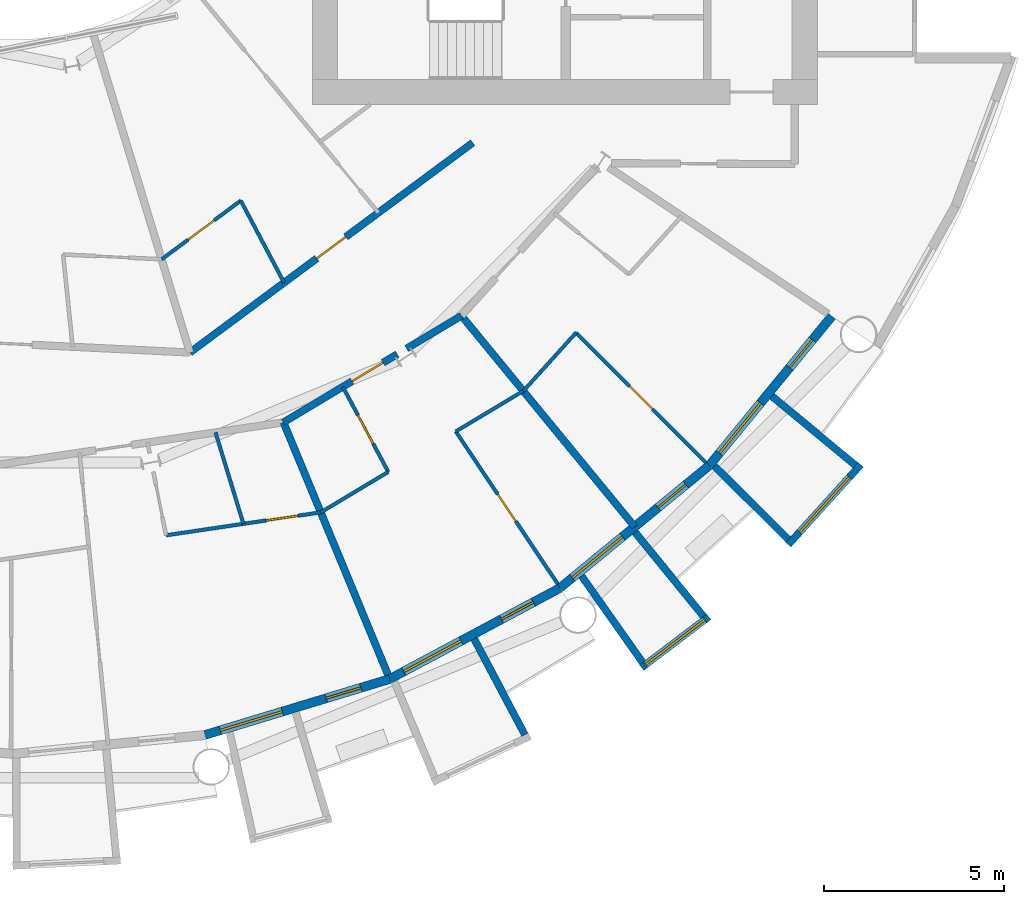
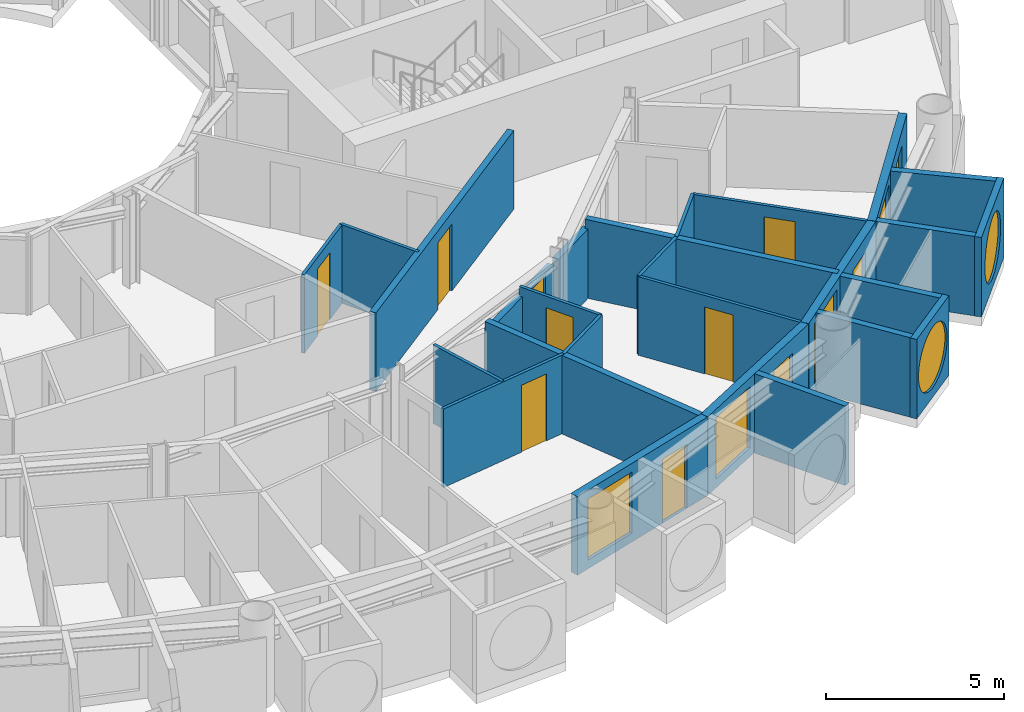
# One storey, part 16 of 26: 26 walls, 11 doors, 6 windows, 17 openings.
"""IFC4 building model written with IfcOpenShell, lengths in metres."""

from ifc_helpers import new_model, si_unit, direction, frame, frame_2d, origin, place, context, subcontext, project, spatial, rectangle, circle, extrude, material, layer, layer_set, type_object, element, fill, save


model = new_model("IFC4")

# Units and contexts
model_context = context("Model", 3, precision=1e-05, world=origin(), true_north=direction((0.0, 1.0)))
body_context = subcontext(model_context, "Body", "Model", "MODEL_VIEW")
ifc_project = project(units=[si_unit("LENGTHUNIT", "METRE"), si_unit("AREAUNIT", "SQUARE_METRE"), si_unit("VOLUMEUNIT", "CUBIC_METRE"), si_unit("PLANEANGLEUNIT", "RADIAN"), si_unit("MASSUNIT", "GRAM", prefix="KILO")], contexts=[model_context])

# Site, building, storey
site_placement = place(None, origin())
site = spatial("IfcSite", under=ifc_project, at=site_placement, CompositionType="ELEMENT")
building_placement = place(site_placement, origin())
building = spatial("IfcBuilding", under=site, at=building_placement, Name="Maasbend Ring Residences", CompositionType="ELEMENT")
storey_placement = place(building_placement, frame((0.0, 0.0, 78.85009765625)))
storey = spatial("IfcBuildingStorey", under=building, at=storey_placement, Name="L22", CompositionType="ELEMENT", Elevation=78.85009765625)

# Wall, opening, door
ifc_material_1 = material(Name="Concrete C30/37", Category="concrete")
ifc_layer_1 = layer(ifc_material_1, 0.199951171875)
ifc_layer_set_1 = layer_set([ifc_layer_1], Name="Concrete C30/37")
wall_type_1 = type_object("IfcWallType", Name="CORRIDOR WALL 200 CONCRETE", PredefinedType="PARTITIONING", material=ifc_layer_set_1)
wall_1_placement = place(storey_placement, frame((7.4951171875, -18.111083984375, 0.0), z_axis=(0.0, 0.0, 1.0), x_axis=(0.857697633371, 0.514154422046, 0.0)))
wall_1 = element("IfcWall", 1, at=wall_1_placement, inside=storey, type_object=wall_type_1, Name="U-L22-w014", PredefinedType="PARTITIONING", context=body_context, shape_type="SweptSolid", body=[
    extrude(rectangle(XDim=3.681884765625, YDim=0.199951171875, at=frame_2d((1.8408203125, 0.0))), origin(), (0.0, 0.0, 1.0), 2.3798828125),
])
opening_1_placement = place(wall_1_placement, frame((2.22412109375, 0.0, 0.0)))
opening_1 = element("IfcOpeningElement", 2, at=opening_1_placement, cuts=wall_1, Name="Opening D-2249", PredefinedType="OPENING", context=body_context, shape_type="SweptSolid", body=[
    extrude(rectangle(XDim=1.0, YDim=2.300048828125, at=frame_2d((0.5, 1.14990234375))), frame((0.0, 0.10986328125, 0.0), z_axis=(0.0, -1.0, 0.0), x_axis=(1.0, 0.0, 0.0)), (0.0, 0.0, 1.0), 0.219970703125),
])
ifc_material_2 = material(Name="Timber, fire-rated, painted", Category="wood")
door_type_1 = type_object("IfcDoorType", Name="FLAT ENTRANCE DOOR 1000 X 2300 FIRE-RATED", OperationType="NOTDEFINED", PredefinedType="DOOR", material=ifc_material_2)
door_1_placement = place(opening_1_placement, origin())
door_1 = element("IfcDoor", 3, at=door_1_placement, inside=storey, type_object=door_type_1, Name="D-2249", OperationType="SINGLE_SWING_RIGHT", OverallHeight=2.300048828125, OverallWidth=1.0, PredefinedType="DOOR", context=body_context, shape_type="SweptSolid", body=[
    extrude(rectangle(XDim=1.0, YDim=2.300048828125, at=frame_2d((0.5, 1.14990234375))), frame((0.0, 0.02490234375, 0.0), z_axis=(0.0, -1.0, 0.0), x_axis=(1.0, 0.0, 0.0)), (0.0, 0.0, 1.0), 0.050048828125),
])
fill(opening_1, door_1)

# Wall
wall_2_placement = place(storey_placement, frame((10.916015625, -16.06103515625, 0.0), z_axis=(0.0, 0.0, 1.0), x_axis=(0.857663265693, 0.514211748875, 0.0)))
element("IfcWall", 4, at=wall_2_placement, inside=storey, type_object=wall_type_1, Name="U-L22-w015", PredefinedType="PARTITIONING", context=body_context, shape_type="SweptSolid", body=[
    extrude(rectangle(XDim=1.77001953125, YDim=0.199951171875, at=frame_2d((0.885009765625, 0.0))), origin(), (0.0, 0.0, 1.0), 2.3798828125),
])

# Wall, opening, door
wall_3_placement = place(storey_placement, frame((4.906005859375, -16.172119140625, 0.0), z_axis=(0.0, 0.0, 1.0), x_axis=(0.803191461888, 0.595720971219, 0.0)))
wall_3 = element("IfcWall", 5, at=wall_3_placement, inside=storey, type_object=wall_type_1, Name="U-L22-w021", PredefinedType="PARTITIONING", context=body_context, shape_type="SweptSolid", body=[
    extrude(rectangle(XDim=9.760009765625, YDim=0.199951171875, at=frame_2d((4.8798828125, 0.0))), origin(), (0.0, 0.0, 1.0), 2.699951171875),
])
opening_2_placement = place(wall_3_placement, frame((4.3798828125, 0.0, 0.0)))
opening_2 = element("IfcOpeningElement", 6, at=opening_2_placement, cuts=wall_3, Name="Opening D-2264", PredefinedType="OPENING", context=body_context, shape_type="SweptSolid", body=[
    extrude(rectangle(XDim=1.0, YDim=2.300048828125, at=frame_2d((0.5, 1.14990234375))), frame((0.0, 0.10986328125, 0.0), z_axis=(0.0, -1.0, 0.0), x_axis=(1.0, 0.0, 0.0)), (0.0, 0.0, 1.0), 0.219970703125),
])
door_2_placement = place(opening_2_placement, origin())
door_2 = element("IfcDoor", 7, at=door_2_placement, inside=storey, type_object=door_type_1, Name="D-2264", OperationType="SINGLE_SWING_LEFT", OverallHeight=2.300048828125, OverallWidth=1.0, PredefinedType="DOOR", context=body_context, shape_type="SweptSolid", body=[
    extrude(rectangle(XDim=1.0, YDim=2.300048828125, at=frame_2d((0.5, 1.14990234375))), frame((0.0, 0.02490234375, 0.0), z_axis=(0.0, -1.0, 0.0), x_axis=(1.0, 0.0, 0.0)), (0.0, 0.0, 1.0), 0.050048828125),
])
fill(opening_2, door_2)

# Wall
ifc_material_3 = material(Name="Pale anodised aluminium panel", Category="aluminium")
ifc_layer_2 = layer(ifc_material_3, 0.199951171875)
ifc_layer_set_2 = layer_set([ifc_layer_2], Name="EW-BOX")
wall_type_2 = type_object("IfcWallType", Name="EW-BOX", PredefinedType="SOLIDWALL", material=ifc_layer_set_2)
wall_4_placement = place(storey_placement, frame((12.787109375, -24.113037109375, -0.030029296875), z_axis=(0.0, 0.0, 1.0), x_axis=(0.468365282436, -0.883534924159, 0.0)))
element("IfcWall", 8, at=wall_4_placement, inside=storey, type_object=wall_type_2, Name="Box side wall S15 right", PredefinedType="SOLIDWALL", context=body_context, shape_type="SweptSolid", body=[
    extrude(rectangle(XDim=3.006103515625, YDim=0.199951171875, at=frame_2d((1.5029296875, 0.0))), origin(), (0.0, 0.0, 1.0), 2.72998046875),
])

# Wall, opening, window
wall_5_placement = place(storey_placement, frame((17.427001953125, -24.908935546875, -0.030029296875), z_axis=(0.0, 0.0, 1.0), x_axis=(0.796842165306, 0.60418752353, 0.0)))
wall_5 = element("IfcWall", 9, at=wall_5_placement, inside=storey, type_object=wall_type_2, Name="Box front S17", PredefinedType="SOLIDWALL", context=body_context, shape_type="SweptSolid", body=[
    extrude(rectangle(XDim=2.3369140625, YDim=0.199951171875, at=frame_2d((1.16845703125, 0.0))), origin(), (0.0, 0.0, 1.0), 2.72998046875),
])
opening_3_placement = place(wall_5_placement, frame((0.128173828125, 0.0, 0.330078125)))
opening_3 = element("IfcOpeningElement", 10, at=opening_3_placement, cuts=wall_5, Name="Opening W-RD", PredefinedType="OPENING", context=body_context, shape_type="SweptSolid", body=[
    extrude(circle(Radius=1.0400390625, at=frame_2d((1.0400390625, 1.0400390625))), frame((0.0, 0.10986328125, 0.0), z_axis=(0.0, -1.0, 0.0), x_axis=(1.0, 0.0, 0.0)), (0.0, 0.0, 1.0), 0.219970703125),
])
ifc_material_4 = material(Name="Aluminium and clear glass", Category="aluminium")
window_type_1 = type_object("IfcWindowType", Name="W-RD", PartitioningType="SINGLE_PANEL", PredefinedType="WINDOW", material=ifc_material_4)
window_1_placement = place(opening_3_placement, origin())
window_1 = element("IfcWindow", 11, at=window_1_placement, inside=storey, type_object=window_type_1, Name="Round window S17", OverallHeight=2.080078125, OverallWidth=2.080078125, PartitioningType="SINGLE_PANEL", PredefinedType="WINDOW", context=body_context, shape_type="SweptSolid", body=[
    extrude(circle(Radius=1.0400390625, at=frame_2d((1.0400390625, 1.0400390625))), frame((0.0, 0.030029296875, 0.0), z_axis=(0.0, -1.0, 0.0), x_axis=(1.0, 0.0, 0.0)), (0.0, 0.0, 1.0), 0.06005859375),
])
fill(opening_3, window_1)

# Walls
wall_6_placement = place(storey_placement, frame((15.764892578125, -22.3701171875, -0.030029296875), z_axis=(0.0, 0.0, 1.0), x_axis=(0.576274612209, -0.817256123454, 0.0)))
element("IfcWall", 12, at=wall_6_placement, inside=storey, type_object=wall_type_2, Name="Box side wall S17 left", PredefinedType="SOLIDWALL", context=body_context, shape_type="SweptSolid", body=[
    extrude(rectangle(XDim=2.932861328125, YDim=0.199951171875, at=frame_2d((1.46630859375, 0.0))), origin(), (0.0, 0.0, 1.0), 2.72998046875),
])
wall_7_placement = place(storey_placement, frame((17.24609375, -21.155029296875, -0.030029296875), z_axis=(0.0, 0.0, 1.0), x_axis=(0.631741648902, -0.775179004516, 0.0)))
element("IfcWall", 13, at=wall_7_placement, inside=storey, type_object=wall_type_2, Name="Box side wall S17 right", PredefinedType="SOLIDWALL", context=body_context, shape_type="SweptSolid", body=[
    extrude(rectangle(XDim=3.005859375, YDim=0.199951171875, at=frame_2d((1.5029296875, 0.0))), origin(), (0.0, 0.0, 1.0), 2.72998046875),
])

# Wall, opening, window
wall_8_placement = place(storey_placement, frame((21.492919921875, -21.5, -0.030029296875), z_axis=(0.0, 0.0, 1.0), x_axis=(0.671506829416, 0.740998365753, 0.0)))
wall_8 = element("IfcWall", 14, at=wall_8_placement, inside=storey, type_object=wall_type_2, Name="Box front S19", PredefinedType="SOLIDWALL", context=body_context, shape_type="SweptSolid", body=[
    extrude(rectangle(XDim=2.9931640625, YDim=0.199951171875, at=frame_2d((1.49658203125, 0.0))), origin(), (0.0, 0.0, 1.0), 2.72998046875),
])
opening_4_placement = place(wall_8_placement, frame((0.45654296875, 0.0, 0.330078125)))
opening_4 = element("IfcOpeningElement", 15, at=opening_4_placement, cuts=wall_8, Name="Opening W-RD", PredefinedType="OPENING", context=body_context, shape_type="SweptSolid", body=[
    extrude(circle(Radius=1.0400390625, at=frame_2d((1.0400390625, 1.0400390625))), frame((0.0, 0.10986328125, 0.0), z_axis=(0.0, -1.0, 0.0), x_axis=(1.0, 0.0, 0.0)), (0.0, 0.0, 1.0), 0.219970703125),
])
window_2_placement = place(opening_4_placement, origin())
window_2 = element("IfcWindow", 16, at=window_2_placement, inside=storey, type_object=window_type_1, Name="Round window S19", OverallHeight=2.080078125, OverallWidth=2.080078125, PartitioningType="SINGLE_PANEL", PredefinedType="WINDOW", context=body_context, shape_type="SweptSolid", body=[
    extrude(circle(Radius=1.0400390625, at=frame_2d((1.0400390625, 1.0400390625))), frame((0.0, 0.030029296875, 0.0), z_axis=(0.0, -1.0, 0.0), x_axis=(1.0, 0.0, 0.0)), (0.0, 0.0, 1.0), 0.06005859375),
])
fill(opening_4, window_2)

# Walls
wall_9_placement = place(storey_placement, frame((19.449951171875, -19.322998046875, -0.030029296875), z_axis=(0.0, 0.0, 1.0), x_axis=(0.709727076896, -0.704476739375, 0.0)))
element("IfcWall", 17, at=wall_9_placement, inside=storey, type_object=wall_type_2, Name="Box side wall S19 left", PredefinedType="SOLIDWALL", context=body_context, shape_type="SweptSolid", body=[
    extrude(rectangle(XDim=2.883056640625, YDim=0.199951171875, at=frame_2d((1.44140625, 0.0))), origin(), (0.0, 0.0, 1.0), 2.72998046875),
])
wall_10_placement = place(storey_placement, frame((21.041015625, -17.384033203125, -0.030029296875), z_axis=(0.0, 0.0, 1.0), x_axis=(0.770784861449, -0.63709551667, 0.0)))
element("IfcWall", 18, at=wall_10_placement, inside=storey, type_object=wall_type_2, Name="Box side wall S19 right", PredefinedType="SOLIDWALL", context=body_context, shape_type="SweptSolid", body=[
    extrude(rectangle(XDim=3.005859375, YDim=0.199951171875, at=frame_2d((1.5029296875, 0.0))), origin(), (0.0, 0.0, 1.0), 2.72998046875),
])

# Wall, openings, door, window
ifc_material_5 = material(Name="Aluminium clad insulated panel", Category="aluminium")
ifc_layer_3 = layer(ifc_material_5, 0.25)
ifc_layer_set_3 = layer_set([ifc_layer_3], Name="EW-GL")
wall_type_3 = type_object("IfcWallType", Name="EW-GL", PredefinedType="SOLIDWALL", material=ifc_layer_set_3)
wall_11_placement = place(storey_placement, frame((5.325927734375, -26.77490234375, 0.0), z_axis=(0.0, 0.0, 1.0), x_axis=(0.956965678721, 0.290201119486, 0.0)))
wall_11 = element("IfcWall", 19, at=wall_11_placement, inside=storey, type_object=wall_type_3, Name="External wall S07", PredefinedType="SOLIDWALL", context=body_context, shape_type="SweptSolid", body=[
    extrude(rectangle(XDim=5.351318359375, YDim=0.25, at=frame_2d((2.67578125, 0.0))), origin(), (0.0, 0.0, 1.0), 2.699951171875),
])
opening_5_placement = place(wall_11_placement, frame((0.441162109375, 0.0, 0.300048828125)))
opening_5 = element("IfcOpeningElement", 20, at=opening_5_placement, cuts=wall_11, Name="Opening W-BX", PredefinedType="OPENING", context=body_context, shape_type="SweptSolid", body=[
    extrude(rectangle(XDim=1.800048828125, YDim=2.10009765625, at=frame_2d((0.89990234375, 1.050048828125))), frame((0.0, 0.135009765625, 0.0), z_axis=(0.0, -1.0, 0.0), x_axis=(1.0, 0.0, 0.0)), (0.0, 0.0, 1.0), 0.27001953125),
])
opening_6_placement = place(wall_11_placement, frame((3.510498046875, 0.0, 0.0)))
opening_6 = element("IfcOpeningElement", 21, at=opening_6_placement, cuts=wall_11, Name="Opening D-LG", PredefinedType="OPENING", context=body_context, shape_type="SweptSolid", body=[
    extrude(rectangle(XDim=1.0, YDim=2.199951171875, at=frame_2d((0.5, 1.10009765625))), frame((0.0, 0.135009765625, 0.0), z_axis=(0.0, -1.0, 0.0), x_axis=(1.0, 0.0, 0.0)), (0.0, 0.0, 1.0), 0.27001953125),
])
ifc_material_6 = material(Name="Aluminium and clear glass", Category="aluminium")
door_type_2 = type_object("IfcDoorType", Name="D-LG", OperationType="SINGLE_SWING_LEFT", PredefinedType="DOOR", material=ifc_material_6)
door_3_placement = place(opening_6_placement, origin())
door_3 = element("IfcDoor", 22, at=door_3_placement, inside=storey, type_object=door_type_2, Name="Loggia door S14", OperationType="SINGLE_SWING_LEFT", OverallHeight=2.199951171875, OverallWidth=1.0, PredefinedType="DOOR", context=body_context, shape_type="SweptSolid", body=[
    extrude(rectangle(XDim=1.0, YDim=2.199951171875, at=frame_2d((0.5, 1.10009765625))), frame((0.0, 0.02490234375, 0.0), z_axis=(0.0, -1.0, 0.0), x_axis=(1.0, 0.0, 0.0)), (0.0, 0.0, 1.0), 0.050048828125),
])
fill(opening_6, door_3)
ifc_material_7 = material(Name="Aluminium and clear glass", Category="aluminium")
window_type_2 = type_object("IfcWindowType", Name="W-BX", PartitioningType="DOUBLE_PANEL_VERTICAL", PredefinedType="WINDOW", material=ifc_material_7)
window_3_placement = place(opening_5_placement, origin())
window_3 = element("IfcWindow", 23, at=window_3_placement, inside=storey, type_object=window_type_2, Name="Window S13 room to box", OverallHeight=2.10009765625, OverallWidth=1.800048828125, PartitioningType="SINGLE_PANEL", PredefinedType="WINDOW", context=body_context, shape_type="SweptSolid", body=[
    extrude(rectangle(XDim=1.800048828125, YDim=2.10009765625, at=frame_2d((0.89990234375, 1.050048828125))), frame((0.0, 0.030029296875, 0.0), z_axis=(0.0, -1.0, 0.0), x_axis=(1.0, 0.0, 0.0)), (0.0, 0.0, 1.0), 0.06005859375),
])
fill(opening_5, window_3)

wall_12_placement = place(storey_placement, frame((10.447021484375, -25.221923828125, 0.0), z_axis=(0.0, 0.0, 1.0), x_axis=(0.881915646801, 0.471407246368, 0.0)))
wall_12 = element("IfcWall", 24, at=wall_12_placement, inside=storey, type_object=wall_type_3, Name="External wall S08", PredefinedType="SOLIDWALL", context=body_context, shape_type="SweptSolid", body=[
    extrude(rectangle(XDim=5.35205078125, YDim=0.25, at=frame_2d((2.676025390625, 0.0))), origin(), (0.0, 0.0, 1.0), 2.699951171875),
])
opening_7_placement = place(wall_12_placement, frame((0.441162109375, 0.0, 0.300048828125)))
opening_7 = element("IfcOpeningElement", 25, at=opening_7_placement, cuts=wall_12, Name="Opening W-BX", PredefinedType="OPENING", context=body_context, shape_type="SweptSolid", body=[
    extrude(rectangle(XDim=1.800048828125, YDim=2.10009765625, at=frame_2d((0.89990234375, 1.050048828125))), frame((0.0, 0.135009765625, 0.0), z_axis=(0.0, -1.0, 0.0), x_axis=(1.0, 0.0, 0.0)), (0.0, 0.0, 1.0), 0.27001953125),
])
opening_8_placement = place(wall_12_placement, frame((3.510498046875, 0.0, 0.0)))
opening_8 = element("IfcOpeningElement", 26, at=opening_8_placement, cuts=wall_12, Name="Opening D-LG", PredefinedType="OPENING", context=body_context, shape_type="SweptSolid", body=[
    extrude(rectangle(XDim=1.0, YDim=2.199951171875, at=frame_2d((0.5, 1.10009765625))), frame((0.0, 0.135009765625, 0.0), z_axis=(0.0, -1.0, 0.0), x_axis=(1.0, 0.0, 0.0)), (0.0, 0.0, 1.0), 0.27001953125),
])
door_4_placement = place(opening_8_placement, origin())
door_4 = element("IfcDoor", 27, at=door_4_placement, inside=storey, type_object=door_type_2, Name="Loggia door S16", OperationType="SINGLE_SWING_LEFT", OverallHeight=2.199951171875, OverallWidth=1.0, PredefinedType="DOOR", context=body_context, shape_type="SweptSolid", body=[
    extrude(rectangle(XDim=1.0, YDim=2.199951171875, at=frame_2d((0.5, 1.10009765625))), frame((0.0, 0.02490234375, 0.0), z_axis=(0.0, -1.0, 0.0), x_axis=(1.0, 0.0, 0.0)), (0.0, 0.0, 1.0), 0.050048828125),
])
fill(opening_8, door_4)
window_4_placement = place(opening_7_placement, origin())
window_4 = element("IfcWindow", 28, at=window_4_placement, inside=storey, type_object=window_type_2, Name="Window S15 room to box", OverallHeight=2.10009765625, OverallWidth=1.800048828125, PartitioningType="SINGLE_PANEL", PredefinedType="WINDOW", context=body_context, shape_type="SweptSolid", body=[
    extrude(rectangle(XDim=1.800048828125, YDim=2.10009765625, at=frame_2d((0.89990234375, 1.050048828125))), frame((0.0, 0.030029296875, 0.0), z_axis=(0.0, -1.0, 0.0), x_axis=(1.0, 0.0, 0.0)), (0.0, 0.0, 1.0), 0.06005859375),
])
fill(opening_7, window_4)

wall_13_placement = place(storey_placement, frame((15.1669921875, -22.698974609375, 0.0), z_axis=(0.0, 0.0, 1.0), x_axis=(0.773019449054, 0.634382322723, 0.0)))
wall_13 = element("IfcWall", 29, at=wall_13_placement, inside=storey, type_object=wall_type_3, Name="External wall S09", PredefinedType="SOLIDWALL", context=body_context, shape_type="SweptSolid", body=[
    extrude(rectangle(XDim=5.351806640625, YDim=0.25, at=frame_2d((2.67578125, 0.0))), origin(), (0.0, 0.0, 1.0), 2.699951171875),
])
opening_9_placement = place(wall_13_placement, frame((0.441162109375, 0.0, 0.300048828125)))
opening_9 = element("IfcOpeningElement", 30, at=opening_9_placement, cuts=wall_13, Name="Opening W-BX", PredefinedType="OPENING", context=body_context, shape_type="SweptSolid", body=[
    extrude(rectangle(XDim=1.800048828125, YDim=2.10009765625, at=frame_2d((0.89990234375, 1.050048828125))), frame((0.0, 0.135009765625, 0.0), z_axis=(0.0, -1.0, 0.0), x_axis=(1.0, 0.0, 0.0)), (0.0, 0.0, 1.0), 0.27001953125),
])
opening_10_placement = place(wall_13_placement, frame((3.510498046875, 0.0, 0.0)))
opening_10 = element("IfcOpeningElement", 31, at=opening_10_placement, cuts=wall_13, Name="Opening D-LG", PredefinedType="OPENING", context=body_context, shape_type="SweptSolid", body=[
    extrude(rectangle(XDim=1.0, YDim=2.199951171875, at=frame_2d((0.5, 1.10009765625))), frame((0.0, 0.135009765625, 0.0), z_axis=(0.0, -1.0, 0.0), x_axis=(1.0, 0.0, 0.0)), (0.0, 0.0, 1.0), 0.27001953125),
])
door_5_placement = place(opening_10_placement, origin())
door_5 = element("IfcDoor", 32, at=door_5_placement, inside=storey, type_object=door_type_2, Name="Loggia door S18", OperationType="SINGLE_SWING_LEFT", OverallHeight=2.199951171875, OverallWidth=1.0, PredefinedType="DOOR", context=body_context, shape_type="SweptSolid", body=[
    extrude(rectangle(XDim=1.0, YDim=2.199951171875, at=frame_2d((0.5, 1.10009765625))), frame((0.0, 0.02490234375, 0.0), z_axis=(0.0, -1.0, 0.0), x_axis=(1.0, 0.0, 0.0)), (0.0, 0.0, 1.0), 0.050048828125),
])
fill(opening_10, door_5)
window_5_placement = place(opening_9_placement, origin())
window_5 = element("IfcWindow", 33, at=window_5_placement, inside=storey, type_object=window_type_2, Name="Window S17 room to box", OverallHeight=2.10009765625, OverallWidth=1.800048828125, PartitioningType="SINGLE_PANEL", PredefinedType="WINDOW", context=body_context, shape_type="SweptSolid", body=[
    extrude(rectangle(XDim=1.800048828125, YDim=2.10009765625, at=frame_2d((0.89990234375, 1.050048828125))), frame((0.0, 0.030029296875, 0.0), z_axis=(0.0, -1.0, 0.0), x_axis=(1.0, 0.0, 0.0)), (0.0, 0.0, 1.0), 0.06005859375),
])
fill(opening_9, window_5)

wall_14_placement = place(storey_placement, frame((19.303955078125, -19.303955078125, 0.0), z_axis=(0.0, 0.0, 1.0), x_axis=(0.634382322723, 0.773019449054, 0.0)))
wall_14 = element("IfcWall", 34, at=wall_14_placement, inside=storey, type_object=wall_type_3, Name="External wall S10", PredefinedType="SOLIDWALL", context=body_context, shape_type="SweptSolid", body=[
    extrude(rectangle(XDim=5.351806640625, YDim=0.25, at=frame_2d((2.67578125, 0.0))), origin(), (0.0, 0.0, 1.0), 2.699951171875),
])
opening_11_placement = place(wall_14_placement, frame((0.441162109375, 0.0, 0.300048828125)))
opening_11 = element("IfcOpeningElement", 35, at=opening_11_placement, cuts=wall_14, Name="Opening W-BX", PredefinedType="OPENING", context=body_context, shape_type="SweptSolid", body=[
    extrude(rectangle(XDim=1.800048828125, YDim=2.10009765625, at=frame_2d((0.89990234375, 1.050048828125))), frame((0.0, 0.135009765625, 0.0), z_axis=(0.0, -1.0, 0.0), x_axis=(1.0, 0.0, 0.0)), (0.0, 0.0, 1.0), 0.27001953125),
])
opening_12_placement = place(wall_14_placement, frame((3.510498046875, 0.0, 0.0)))
opening_12 = element("IfcOpeningElement", 36, at=opening_12_placement, cuts=wall_14, Name="Opening D-LG", PredefinedType="OPENING", context=body_context, shape_type="SweptSolid", body=[
    extrude(rectangle(XDim=1.0, YDim=2.199951171875, at=frame_2d((0.5, 1.10009765625))), frame((0.0, 0.135009765625, 0.0), z_axis=(0.0, -1.0, 0.0), x_axis=(1.0, 0.0, 0.0)), (0.0, 0.0, 1.0), 0.27001953125),
])
door_6_placement = place(opening_12_placement, origin())
door_6 = element("IfcDoor", 37, at=door_6_placement, inside=storey, type_object=door_type_2, Name="Loggia door S20", OperationType="SINGLE_SWING_LEFT", OverallHeight=2.199951171875, OverallWidth=1.0, PredefinedType="DOOR", context=body_context, shape_type="SweptSolid", body=[
    extrude(rectangle(XDim=1.0, YDim=2.199951171875, at=frame_2d((0.5, 1.10009765625))), frame((0.0, 0.02490234375, 0.0), z_axis=(0.0, -1.0, 0.0), x_axis=(1.0, 0.0, 0.0)), (0.0, 0.0, 1.0), 0.050048828125),
])
fill(opening_12, door_6)
window_6_placement = place(opening_11_placement, origin())
window_6 = element("IfcWindow", 38, at=window_6_placement, inside=storey, type_object=window_type_2, Name="Window S19 room to box", OverallHeight=2.10009765625, OverallWidth=1.800048828125, PartitioningType="SINGLE_PANEL", PredefinedType="WINDOW", context=body_context, shape_type="SweptSolid", body=[
    extrude(rectangle(XDim=1.800048828125, YDim=2.10009765625, at=frame_2d((0.89990234375, 1.050048828125))), frame((0.0, 0.030029296875, 0.0), z_axis=(0.0, -1.0, 0.0), x_axis=(1.0, 0.0, 0.0)), (0.0, 0.0, 1.0), 0.06005859375),
])
fill(opening_11, window_6)

# Walls
ifc_material_8 = material(Name="Gypsum board on steel studs", Category="steel")
ifc_layer_4 = layer(ifc_material_8, 0.10009765625)
ifc_layer_set_4 = layer_set([ifc_layer_4], Name="PARTITION 100 GYPSUM")
wall_type_4 = type_object("IfcWallType", Name="PARTITION 100 GYPSUM", PredefinedType="PARTITIONING", material=ifc_layer_set_4)
for number, where, z_axis, x_axis, name in (
    (39, (8.533935546875, -20.60400390625, 0.0), (0.0, 0.0, 1.0), (0.857611386679, 0.514298268943, 0.0), "U-L22-w003"),
    (40, (12.27587890625, -18.360107421875, 0.0), (0.0, 0.0, 1.0), (0.857611386679, 0.514298268943, 0.0), "U-L22-w004"),
):
    element("IfcWall", number, at=place(storey_placement, frame(where, z_axis=z_axis, x_axis=x_axis)), inside=storey, type_object=wall_type_4, Name=name, PredefinedType="PARTITIONING", context=body_context, shape_type="SweptSolid", body=[
        extrude(rectangle(XDim=2.181640625, YDim=0.10009765625, at=frame_2d((1.0908203125, 0.0))), origin(), (0.0, 0.0, 1.0), 2.699951171875),
    ])
wall_15_placement = place(storey_placement, frame((14.153076171875, -17.23388671875, 0.0), z_axis=(0.0, 0.0, 1.0), x_axis=(0.671144831591, 0.741326254107, 0.0)))
element("IfcWall", 41, at=wall_15_placement, inside=storey, type_object=wall_type_4, Name="U-L22-w005", PredefinedType="PARTITIONING", context=body_context, shape_type="SweptSolid", body=[
    extrude(rectangle(XDim=2.18115234375, YDim=0.10009765625, at=frame_2d((1.090576171875, 0.0))), origin(), (0.0, 0.0, 1.0), 2.699951171875),
])

# Wall, opening, door
wall_16_placement = place(storey_placement, frame((4.24609375, -21.239013671875, 0.0), z_axis=(0.0, 0.0, 1.0), x_axis=(0.989178348771, 0.146718077695, 0.0)))
wall_16 = element("IfcWall", 42, at=wall_16_placement, inside=storey, type_object=wall_type_4, Name="U-L22-w010", PredefinedType="PARTITIONING", context=body_context, shape_type="SweptSolid", body=[
    extrude(rectangle(XDim=4.334716796875, YDim=0.10009765625, at=frame_2d((2.16748046875, 0.0))), origin(), (0.0, 0.0, 1.0), 2.699951171875),
])
opening_13_placement = place(wall_16_placement, frame((2.801025390625, 0.0, 0.0)))
opening_13 = element("IfcOpeningElement", 43, at=opening_13_placement, cuts=wall_16, Name="Opening D-2244", PredefinedType="OPENING", context=body_context, shape_type="SweptSolid", body=[
    extrude(rectangle(XDim=0.89990234375, YDim=2.300048828125, at=frame_2d((0.449951171875, 1.14990234375))), frame((0.0, 0.06005859375, 0.0), z_axis=(0.0, -1.0, 0.0), x_axis=(1.0, 0.0, 0.0)), (0.0, 0.0, 1.0), 0.1201171875),
])
ifc_material_9 = material(Name="Timber, painted", Category="wood")
door_type_3 = type_object("IfcDoorType", Name="INTERNAL DOOR 900 X 2300", OperationType="NOTDEFINED", PredefinedType="DOOR", material=ifc_material_9)
door_7_placement = place(opening_13_placement, origin())
door_7 = element("IfcDoor", 44, at=door_7_placement, inside=storey, type_object=door_type_3, Name="D-2244", OperationType="SINGLE_SWING_RIGHT", OverallHeight=2.300048828125, OverallWidth=0.89990234375, PredefinedType="DOOR", context=body_context, shape_type="SweptSolid", body=[
    extrude(rectangle(XDim=0.89990234375, YDim=2.300048828125, at=frame_2d((0.449951171875, 1.14990234375))), frame((0.0, 0.02490234375, 0.0), z_axis=(0.0, -1.0, 0.0), x_axis=(1.0, 0.0, 0.0)), (0.0, 0.0, 1.0), 0.050048828125),
])
fill(opening_13, door_7)

wall_17_placement = place(storey_placement, frame((4.123046875, -13.589111328125, 0.0), z_axis=(0.0, 0.0, 1.0), x_axis=(0.803128348509, 0.595806055542, 0.0)))
wall_17 = element("IfcWall", 45, at=wall_17_placement, inside=storey, type_object=wall_type_4, Name="U-L22-w026", PredefinedType="PARTITIONING", context=body_context, shape_type="SweptSolid", body=[
    extrude(rectangle(XDim=2.734375, YDim=0.10009765625, at=frame_2d((1.3671875, 0.0))), origin(), (0.0, 0.0, 1.0), 2.699951171875),
])
opening_14_placement = place(wall_17_placement, frame((0.916015625, 0.0, 0.0)))
opening_14 = element("IfcOpeningElement", 46, at=opening_14_placement, cuts=wall_17, Name="Opening D-2265", PredefinedType="OPENING", context=body_context, shape_type="SweptSolid", body=[
    extrude(rectangle(XDim=0.89990234375, YDim=2.300048828125, at=frame_2d((0.449951171875, 1.14990234375))), frame((0.0, 0.06005859375, 0.0), z_axis=(0.0, -1.0, 0.0), x_axis=(1.0, 0.0, 0.0)), (0.0, 0.0, 1.0), 0.1201171875),
])
door_8_placement = place(opening_14_placement, origin())
door_8 = element("IfcDoor", 47, at=door_8_placement, inside=storey, type_object=door_type_3, Name="D-2265", OperationType="SINGLE_SWING_LEFT", OverallHeight=2.300048828125, OverallWidth=0.89990234375, PredefinedType="DOOR", context=body_context, shape_type="SweptSolid", body=[
    extrude(rectangle(XDim=0.89990234375, YDim=2.300048828125, at=frame_2d((0.449951171875, 1.14990234375))), frame((0.0, 0.02490234375, 0.0), z_axis=(0.0, -1.0, 0.0), x_axis=(1.0, 0.0, 0.0)), (0.0, 0.0, 1.0), 0.050048828125),
])
fill(opening_14, door_8)

# Walls
wall_18_placement = place(storey_placement, frame((5.615966796875, -18.387939453125, 0.0), z_axis=(0.0, 0.0, 1.0), x_axis=(0.292206826201, -0.956355148845, 0.0)))
element("IfcWall", 48, at=wall_18_placement, inside=storey, type_object=wall_type_4, Name="U-L22-w077", PredefinedType="PARTITIONING", context=body_context, shape_type="SweptSolid", body=[
    extrude(rectangle(XDim=2.6484375, YDim=0.10009765625, at=frame_2d((1.32421875, 0.0))), origin(), (0.0, 0.0, 1.0), 2.699951171875),
])
wall_19_placement = place(storey_placement, frame((6.31591796875, -11.9609375, 0.0), z_axis=(0.0, 0.0, 1.0), x_axis=(0.467037016128, -0.884237765291, 0.0)))
element("IfcWall", 49, at=wall_19_placement, inside=storey, type_object=wall_type_4, Name="U-L22-w078", PredefinedType="PARTITIONING", context=body_context, shape_type="SweptSolid", body=[
    extrude(rectangle(XDim=2.57177734375, YDim=0.10009765625, at=frame_2d((1.285888671875, 0.0))), origin(), (0.0, 0.0, 1.0), 2.699951171875),
])

# Wall, opening, door
wall_20_placement = place(storey_placement, frame((9.14501953125, -17.1220703125, 0.0), z_axis=(0.0, 0.0, 1.0), x_axis=(0.471151994359, -0.882052038267, 0.0)))
wall_20 = element("IfcWall", 50, at=wall_20_placement, inside=storey, type_object=wall_type_4, Name="U-L22-w082", PredefinedType="PARTITIONING", context=body_context, shape_type="SweptSolid", body=[
    extrude(rectangle(XDim=2.67431640625, YDim=0.10009765625, at=frame_2d((1.337158203125, 0.0))), origin(), (0.0, 0.0, 1.0), 2.699951171875),
])
opening_15_placement = place(wall_20_placement, frame((0.886962890625, 0.0, 0.0)))
opening_15 = element("IfcOpeningElement", 51, at=opening_15_placement, cuts=wall_20, Name="Opening D-2250", PredefinedType="OPENING", context=body_context, shape_type="SweptSolid", body=[
    extrude(rectangle(XDim=0.89990234375, YDim=2.300048828125, at=frame_2d((0.449951171875, 1.14990234375))), frame((0.0, 0.06005859375, 0.0), z_axis=(0.0, -1.0, 0.0), x_axis=(1.0, 0.0, 0.0)), (0.0, 0.0, 1.0), 0.1201171875),
])
door_9_placement = place(opening_15_placement, origin())
door_9 = element("IfcDoor", 52, at=door_9_placement, inside=storey, type_object=door_type_3, Name="D-2250", OperationType="SINGLE_SWING_RIGHT", OverallHeight=2.300048828125, OverallWidth=0.89990234375, PredefinedType="DOOR", context=body_context, shape_type="SweptSolid", body=[
    extrude(rectangle(XDim=0.89990234375, YDim=2.300048828125, at=frame_2d((0.449951171875, 1.14990234375))), frame((0.0, 0.02490234375, 0.0), z_axis=(0.0, -1.0, 0.0), x_axis=(1.0, 0.0, 0.0)), (0.0, 0.0, 1.0), 0.050048828125),
])
fill(opening_15, door_9)

wall_21_placement = place(storey_placement, frame((12.27587890625, -18.360107421875, 0.0), z_axis=(0.0, 0.0, 1.0), x_axis=(0.555939561221, -0.831222716406, 0.0)))
wall_21 = element("IfcWall", 53, at=wall_21_placement, inside=storey, type_object=wall_type_4, Name="U-L22-w086", PredefinedType="PARTITIONING", context=body_context, shape_type="SweptSolid", body=[
    extrude(rectangle(XDim=5.0888671875, YDim=0.10009765625, at=frame_2d((2.54443359375, 0.0))), origin(), (0.0, 0.0, 1.0), 2.699951171875),
])
opening_16_placement = place(wall_21_placement, frame((2.093994140625, 0.0, 0.0)))
opening_16 = element("IfcOpeningElement", 54, at=opening_16_placement, cuts=wall_21, Name="Opening D-2251", PredefinedType="OPENING", context=body_context, shape_type="SweptSolid", body=[
    extrude(rectangle(XDim=0.89990234375, YDim=2.300048828125, at=frame_2d((0.449951171875, 1.14990234375))), frame((0.0, 0.06005859375, 0.0), z_axis=(0.0, -1.0, 0.0), x_axis=(1.0, 0.0, 0.0)), (0.0, 0.0, 1.0), 0.1201171875),
])
door_10_placement = place(opening_16_placement, origin())
door_10 = element("IfcDoor", 55, at=door_10_placement, inside=storey, type_object=door_type_3, Name="D-2251", OperationType="SINGLE_SWING_RIGHT", OverallHeight=2.300048828125, OverallWidth=0.89990234375, PredefinedType="DOOR", context=body_context, shape_type="SweptSolid", body=[
    extrude(rectangle(XDim=0.89990234375, YDim=2.300048828125, at=frame_2d((0.449951171875, 1.14990234375))), frame((0.0, 0.02490234375, 0.0), z_axis=(0.0, -1.0, 0.0), x_axis=(1.0, 0.0, 0.0)), (0.0, 0.0, 1.0), 0.050048828125),
])
fill(opening_16, door_10)

wall_22_placement = place(storey_placement, frame((15.612060546875, -15.6220703125, 0.0), z_axis=(0.0, 0.0, 1.0), x_axis=(0.706914880313, -0.707298629994, 0.0)))
wall_22 = element("IfcWall", 56, at=wall_22_placement, inside=storey, type_object=wall_type_4, Name="U-L22-w090", PredefinedType="PARTITIONING", context=body_context, shape_type="SweptSolid", body=[
    extrude(rectangle(XDim=5.089599609375, YDim=0.10009765625, at=frame_2d((2.544921875, 0.0))), origin(), (0.0, 0.0, 1.0), 2.699951171875),
])
opening_17_placement = place(wall_22_placement, frame((2.094970703125, 0.0, 0.0)))
opening_17 = element("IfcOpeningElement", 57, at=opening_17_placement, cuts=wall_22, Name="Opening D-2254", PredefinedType="OPENING", context=body_context, shape_type="SweptSolid", body=[
    extrude(rectangle(XDim=0.89990234375, YDim=2.300048828125, at=frame_2d((0.449951171875, 1.14990234375))), frame((0.0, 0.06005859375, 0.0), z_axis=(0.0, -1.0, 0.0), x_axis=(1.0, 0.0, 0.0)), (0.0, 0.0, 1.0), 0.1201171875),
])
door_11_placement = place(opening_17_placement, origin())
door_11 = element("IfcDoor", 58, at=door_11_placement, inside=storey, type_object=door_type_3, Name="D-2254", OperationType="SINGLE_SWING_RIGHT", OverallHeight=2.300048828125, OverallWidth=0.89990234375, PredefinedType="DOOR", context=body_context, shape_type="SweptSolid", body=[
    extrude(rectangle(XDim=0.89990234375, YDim=2.300048828125, at=frame_2d((0.449951171875, 1.14990234375))), frame((0.0, 0.02490234375, 0.0), z_axis=(0.0, -1.0, 0.0), x_axis=(1.0, 0.0, 0.0)), (0.0, 0.0, 1.0), 0.050048828125),
])
fill(opening_17, door_11)

# Walls
ifc_material_10 = material(Name="Concrete C30/37", Category="concrete")
ifc_layer_5 = layer(ifc_material_10, 0.199951171875)
ifc_layer_set_5 = layer_set([ifc_layer_5], Name="Concrete C30/37")
wall_type_5 = type_object("IfcWallType", Name="PARTY WALL 200 CONCRETE", PredefinedType="PARTITIONING", material=ifc_layer_set_5)
wall_23_placement = place(storey_placement, frame((7.5009765625, -18.10791015625, 0.0), z_axis=(0.0, 0.0, 1.0), x_axis=(0.382600411313, -0.923913916587, 0.0)))
element("IfcWall", 59, at=wall_23_placement, inside=storey, type_object=wall_type_5, Name="U-L22-w081", PredefinedType="PARTITIONING", context=body_context, shape_type="SweptSolid", body=[
    extrude(rectangle(XDim=7.574462890625, YDim=0.199951171875, at=frame_2d((3.787109375, 0.0))), origin(), (0.0, 0.0, 1.0), 2.699951171875),
])
wall_24_placement = place(storey_placement, frame((12.43408203125, -15.15087890625, 0.0), z_axis=(0.0, 0.0, 1.0), x_axis=(0.634381303318, -0.773020285633, 0.0)))
element("IfcWall", 60, at=wall_24_placement, inside=storey, type_object=wall_type_5, Name="U-L22-w087", PredefinedType="PARTITIONING", context=body_context, shape_type="SweptSolid", body=[
    extrude(rectangle(XDim=7.57568359375, YDim=0.199951171875, at=frame_2d((3.787841796875, 0.0))), origin(), (0.0, 0.0, 1.0), 2.699951171875),
])

save(model, "model.ifc")
